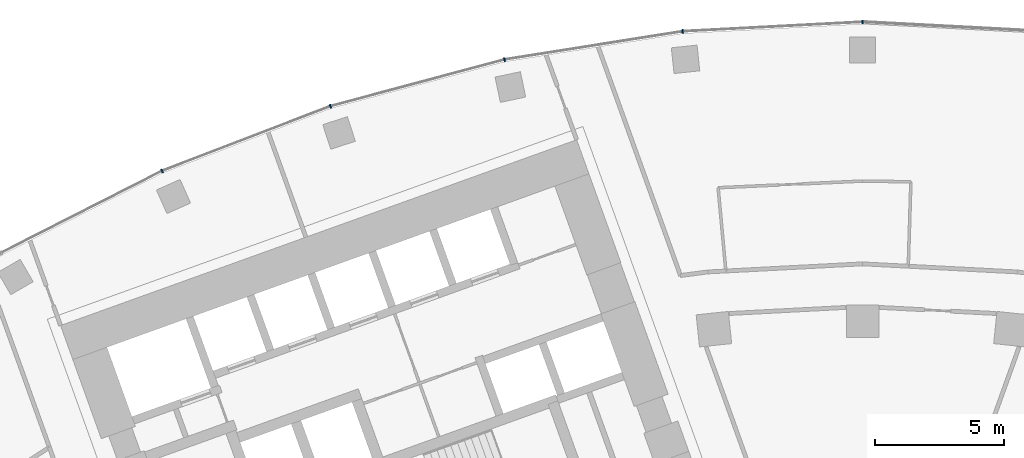
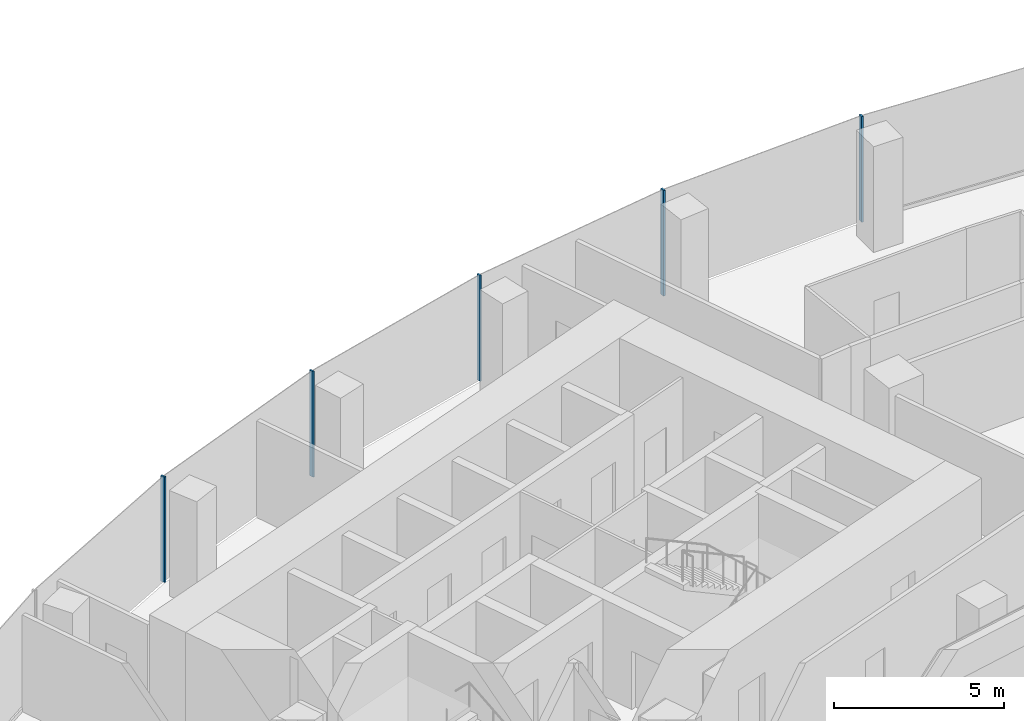
# One storey, part 6 of 20: 5 members, 1 element without a shape of its own.
"""IFC4 building model written with IfcOpenShell, lengths in metres."""

import ifcopenshell
import ifcopenshell.guid

model = None  # the IFC model being written
_history = None  # IfcOwnerHistory: only IFC2X3 demands one
_inside = {}  # id of a spatial element -> (the spatial element, [elements in it])
_under = {}  # id of a project, library or spatial element -> (it, [spatial elements below it])
_declared = {}  # id of a project -> (the project, [libraries it declares])
_typed = {}  # id of a type object -> (the type object, [elements of that type])
_made_of = {}  # id of a material, layer set ... -> (it, [elements and type objects made of it])


def new_model(schema):
    """Start an empty IFC model of exactly this schema.

    Asked for "IFC4X3", IfcOpenShell would pick the latest addendum, in which some entities
    have other attributes; the version numbers below select the first issue.
    IFC2X3 requires an IfcOwnerHistory on every rooted entity: one is made here for all.
    """
    global model, _history
    if schema == "IFC4X3":
        model = ifcopenshell.file(schema_version=(4, 3, 0, 0))
    else:
        model = ifcopenshell.file(schema=schema)
    _inside.clear()
    _under.clear()
    _declared.clear()
    _typed.clear()
    _made_of.clear()
    _history = None
    if model.schema == "IFC2X3":
        org = make("IfcOrganization", Name="unknown")
        user = make(
            "IfcPersonAndOrganization",
            ThePerson=make("IfcPerson", FamilyName="unknown"),
            TheOrganization=org,
        )
        app = make(
            "IfcApplication",
            ApplicationDeveloper=org,
            Version="unknown",
            ApplicationFullName="unknown",
            ApplicationIdentifier="unknown",
        )
        _history = make(
            "IfcOwnerHistory",
            OwningUser=user,
            OwningApplication=app,
            ChangeAction="ADDED",
            CreationDate=0,
        )
    return model


def make(cls, **values):
    """One entity of the class cls with the attributes given. An attribute that is None is left unset."""
    return model.create_entity(
        cls, **{name: value for name, value in values.items() if value is not None}
    )


def rooted(cls, **values):
    """An entity with a GlobalId (a new one), such as an element, a storey or a relation."""
    return make(cls, GlobalId=ifcopenshell.guid.new(), OwnerHistory=_history, **values)


def si_unit(unit_type, name, prefix=None):
    """IfcSIUnit, for example si_unit("LENGTHUNIT", "METRE", prefix="MILLI")."""
    return make("IfcSIUnit", UnitType=unit_type, Prefix=prefix, Name=name)


def assignment(units):
    """IfcUnitAssignment: the units of a project."""
    return None if units is None else make("IfcUnitAssignment", Units=units)


def point(xyz):
    """IfcCartesianPoint."""
    return None if xyz is None else make("IfcCartesianPoint", Coordinates=xyz)


def direction(xyz):
    """IfcDirection."""
    return None if xyz is None else make("IfcDirection", DirectionRatios=xyz)


def frame(location, z_axis=None, x_axis=None):
    """IfcAxis2Placement3D, a coordinate frame: its origin and axes. An axis left out is left unset."""
    return make(
        "IfcAxis2Placement3D",
        Location=point(location),
        Axis=direction(z_axis),
        RefDirection=direction(x_axis),
    )


def frame_2d(location, x_axis=None):
    """IfcAxis2Placement2D, a coordinate frame in the plane: its origin and x axis."""
    return make(
        "IfcAxis2Placement2D", Location=point(location), RefDirection=direction(x_axis)
    )


def origin():
    """The frame at (0, 0, 0) with its axes left unset."""
    return frame((0.0, 0.0, 0.0))


def origin_2d():
    """The frame at (0, 0) in the plane with its x axis left unset."""
    return frame_2d((0.0, 0.0))


def place(relative_to, where):
    """IfcLocalPlacement: puts the frame where relative to a parent placement (None: the world)."""
    return make(
        "IfcLocalPlacement", PlacementRelTo=relative_to, RelativePlacement=where
    )


def context(
    kind, dimensions, precision=None, world=None, true_north=None, identifier=None
):
    """IfcGeometricRepresentationContext, for example the 3D "Model" context."""
    return make(
        "IfcGeometricRepresentationContext",
        ContextIdentifier=identifier,
        ContextType=kind,
        CoordinateSpaceDimension=dimensions,
        Precision=precision,
        WorldCoordinateSystem=world,
        TrueNorth=true_north,
    )


def subcontext(parent, identifier, kind, view, scale=None):
    """IfcGeometricRepresentationSubContext, for example "Body" below "Model"."""
    return make(
        "IfcGeometricRepresentationSubContext",
        ContextIdentifier=identifier,
        ContextType=kind,
        ParentContext=parent,
        TargetScale=scale,
        TargetView=view,
    )


def project(units=None, contexts=None):
    """IfcProject with its units and contexts."""
    return rooted(
        "IfcProject",
        Name="project",
        RepresentationContexts=contexts,
        UnitsInContext=assignment(units),
    )


def spatial(cls, under=None, at=None, **own):
    """A site, building, storey or space (cls), placed at a placement, below another one or the project."""
    s = rooted(cls, ObjectPlacement=at, **own)
    if under is not None:
        _under.setdefault(under.id(), (under, []))[1].append(s)
    return s


def profile(cls, at=None, kind="AREA", **sizes):
    """A parametric profile (cls). Its sizes go by their IFC names, for example OverallWidth=200.0."""
    return make(cls, ProfileType=kind, Position=at, **sizes)


def rectangle(**sizes):
    """IfcRectangleProfileDef."""
    return profile("IfcRectangleProfileDef", **sizes)


def extrude(swept, where, along, depth):
    """IfcExtrudedAreaSolid: the profile swept, set in the frame where, extruded along a direction by depth."""
    return make(
        "IfcExtrudedAreaSolid",
        SweptArea=swept,
        Position=where,
        ExtrudedDirection=direction(along),
        Depth=depth,
    )


def shape(context_of_items, identifier, shape_type, items):
    """IfcShapeRepresentation: the items that make up one representation, for example the "Body"."""
    return make(
        "IfcShapeRepresentation",
        ContextOfItems=context_of_items,
        RepresentationIdentifier=identifier,
        RepresentationType=shape_type,
        Items=items,
    )


def material(Name=None, Category=None):
    """IfcMaterial."""
    return make("IfcMaterial", Name=Name, Category=Category)


def layer(
    of_material, thickness, ventilated=None, Name=None, Category=None, Priority=None
):
    """IfcMaterialLayer: one layer of a wall or slab, of a material (None: an air gap)."""
    return make(
        "IfcMaterialLayer",
        Material=of_material,
        LayerThickness=thickness,
        IsVentilated=ventilated,
        Name=Name,
        Category=Category,
        Priority=Priority,
    )


def layer_set(layers, Name=None):
    """IfcMaterialLayerSet."""
    return make("IfcMaterialLayerSet", MaterialLayers=layers, LayerSetName=Name)


def material_profile(
    of_material, cross_section, Name=None, Category=None, Priority=None
):
    """IfcMaterialProfile: a cross section and its material."""
    return make(
        "IfcMaterialProfile",
        Name=Name,
        Material=of_material,
        Profile=cross_section,
        Priority=Priority,
        Category=Category,
    )


def profile_set(profiles, Name=None, composite=None):
    """IfcMaterialProfileSet."""
    return make(
        "IfcMaterialProfileSet",
        Name=Name,
        MaterialProfiles=profiles,
        CompositeProfile=composite,
    )


def made_of(thing, what):
    """Note that an element or type object is made of a material, layer set ...; save() writes the relation."""
    if what is not None:
        _made_of.setdefault(what.id(), (what, []))[1].append(thing)
    return thing


def type_object(cls, material=None, **own):
    """A type object (cls), such as IfcWallType, which elements share."""
    return made_of(rooted(cls, **own), material)


def element(
    cls,
    number,
    at=None,
    inside=None,
    cuts=None,
    type_object=None,
    material=None,
    context=None,
    identifier="Body",
    shape_type=None,
    held_by="IfcProductDefinitionShape",
    body=None,
    shapes=None,
    **own,
):
    """One element of the class cls, such as IfcWall. Its Tag is "e" and its number.

    at: its placement. inside: the storey or other place that contains it. cuts: it is an
    opening in that element (IfcRelVoidsElement). A single representation is given by context,
    identifier, shape_type and body (its items); several are given by shapes. held_by: the class
    of the entity that holds the representations. save() writes the other relations.
    """
    e = rooted(cls, Tag="e%d" % number, ObjectPlacement=at, **own)
    if body is not None:
        shapes = [shape(context, identifier, shape_type, body)]
    if shapes is not None:
        e.Representation = make(held_by, Representations=shapes)
    if inside is not None:
        _inside.setdefault(inside.id(), (inside, []))[1].append(e)
    if cuts is not None:
        rooted(
            "IfcRelVoidsElement", RelatingBuildingElement=cuts, RelatedOpeningElement=e
        )
    if type_object is not None:
        _typed.setdefault(type_object.id(), (type_object, []))[1].append(e)
    return made_of(e, material)


def aggregate(whole, parts):
    """IfcRelAggregates: a whole, such as a stair, and the parts it consists of."""
    return rooted("IfcRelAggregates", RelatingObject=whole, RelatedObjects=parts)


def save(model, path):
    """Write the relations noted so far, then the file.

    IfcRelAggregates (storeys below a building ...), IfcRelContainedInSpatialStructure (elements
    in a storey), IfcRelDefinesByType, IfcRelAssociatesMaterial and IfcRelDeclares: one each for
    every whole, place, type object, material and project.
    """
    for whole, parts in _under.values():
        aggregate(whole, parts)
    for where, things in _inside.values():
        rooted(
            "IfcRelContainedInSpatialStructure",
            RelatedElements=things,
            RelatingStructure=where,
        )
    for kind, things in _typed.values():
        rooted("IfcRelDefinesByType", RelatedObjects=things, RelatingType=kind)
    for what, things in _made_of.values():
        rooted("IfcRelAssociatesMaterial", RelatedObjects=things, RelatingMaterial=what)
    for by, libraries in _declared.values():
        rooted("IfcRelDeclares", RelatingContext=by, RelatedDefinitions=libraries)
    model.write(path)


model = new_model("IFC4")

# Units and contexts
model_context = context("Model", 3, precision=1e-05, world=origin(), true_north=direction((0.0, 1.0)))
body_context = subcontext(model_context, "Body", "Model", "MODEL_VIEW")
ifc_project = project(units=[si_unit("LENGTHUNIT", "METRE"), si_unit("AREAUNIT", "SQUARE_METRE"), si_unit("VOLUMEUNIT", "CUBIC_METRE"), si_unit("PLANEANGLEUNIT", "RADIAN"), si_unit("MASSUNIT", "GRAM", prefix="KILO")], contexts=[model_context])

# Site, building, storey
site_placement = place(None, origin())
site = spatial("IfcSite", under=ifc_project, at=site_placement, CompositionType="ELEMENT")
building_placement = place(site_placement, origin())
building = spatial("IfcBuilding", under=site, at=building_placement, Name="Stone Belt Terrace Tower", CompositionType="ELEMENT")
storey_placement = place(building_placement, frame((0.0, 0.0, 182.0)))
storey = spatial("IfcBuildingStorey", under=building, at=storey_placement, Name="L44", CompositionType="ELEMENT", Elevation=182.0)

# Curtain wall, members
ifc_material = material(Name="Aluminium 6063-T6 anodised frame", Category="aluminium")
ifc_layer = layer(ifc_material, 0.14990234375)
ifc_layer_set = layer_set([ifc_layer], Name="CW-A unitised convex-face curtain wall")
curtain_wall_type = type_object("IfcCurtainWallType", Name="CW-A unitised convex-face curtain wall", PredefinedType="NOTDEFINED", material=ifc_layer_set)
curtain_wall_placement = place(storey_placement, origin())
curtain_wall = element("IfcCurtainWall", 1, at=curtain_wall_placement, inside=storey, type_object=curtain_wall_type, Name="CW-A convex face L44", PredefinedType="NOTDEFINED")
ifc_material_profile = material_profile(ifc_material, rectangle(XDim=0.14990234375, YDim=0.06005859375, at=origin_2d()), Name="Aluminium 6063-T6 60x150")
ifc_profile_set = profile_set([ifc_material_profile], Name="Aluminium 6063-T6 anodised frame")
member_type = type_object("IfcMemberType", Name="CW-A mullion 60 x 150", PredefinedType="MULLION", material=ifc_profile_set)
member_1_placement = place(storey_placement, frame((0.0, 66.5751953125, 0.0), z_axis=(0.0, 0.0, 1.0), x_axis=(0.0, -1.0, 0.0)))
member_1 = element("IfcMember", 2, at=member_1_placement, type_object=member_type, Name="CW-A mullion 8", PredefinedType="MULLION", context=body_context, shape_type="SweptSolid", body=[
    extrude(rectangle(XDim=0.14990234375, YDim=0.06005859375, at=origin_2d()), origin(), (0.0, 0.0, 1.0), 3.800048828125),
])
member_2_placement = place(storey_placement, frame((-6.958984375, 66.21044921875, 0.0), z_axis=(0.0, 0.0, 1.0), x_axis=(0.104528463268, -0.994521895368, 0.0)))
member_2 = element("IfcMember", 3, at=member_2_placement, type_object=member_type, Name="CW-A mullion 9", PredefinedType="MULLION", context=body_context, shape_type="SweptSolid", body=[
    extrude(rectangle(XDim=0.14990234375, YDim=0.06005859375, at=origin_2d()), origin(), (0.0, 0.0, 1.0), 3.800048828125),
])
member_3_placement = place(storey_placement, frame((-13.841796875, 65.120361328125, 0.0), z_axis=(0.0, 0.0, 1.0), x_axis=(0.207911690818, -0.978147600734, 0.0)))
member_3 = element("IfcMember", 4, at=member_3_placement, type_object=member_type, Name="CW-A mullion 10", PredefinedType="MULLION", context=body_context, shape_type="SweptSolid", body=[
    extrude(rectangle(XDim=0.14990234375, YDim=0.06005859375, at=origin_2d()), origin(), (0.0, 0.0, 1.0), 3.800048828125),
])
member_4_placement = place(storey_placement, frame((-20.57275390625, 63.316650390625, 0.0), z_axis=(0.0, 0.0, 1.0), x_axis=(0.309016994375, -0.951056516295, 0.0)))
member_4 = element("IfcMember", 5, at=member_4_placement, type_object=member_type, Name="CW-A mullion 11", PredefinedType="MULLION", context=body_context, shape_type="SweptSolid", body=[
    extrude(rectangle(XDim=0.14990234375, YDim=0.06005859375, at=origin_2d()), origin(), (0.0, 0.0, 1.0), 3.800048828125),
])
member_5_placement = place(storey_placement, frame((-27.07861328125, 60.8193359375, 0.0), z_axis=(0.0, 0.0, 1.0), x_axis=(0.406736643076, -0.913545457643, 0.0)))
member_5 = element("IfcMember", 6, at=member_5_placement, type_object=member_type, Name="CW-A mullion 12", PredefinedType="MULLION", context=body_context, shape_type="SweptSolid", body=[
    extrude(rectangle(XDim=0.14990234375, YDim=0.06005859375, at=origin_2d()), origin(), (0.0, 0.0, 1.0), 3.800048828125),
])
aggregate(curtain_wall, [member_1, member_2, member_3, member_4, member_5])

save(model, "model.ifc")
